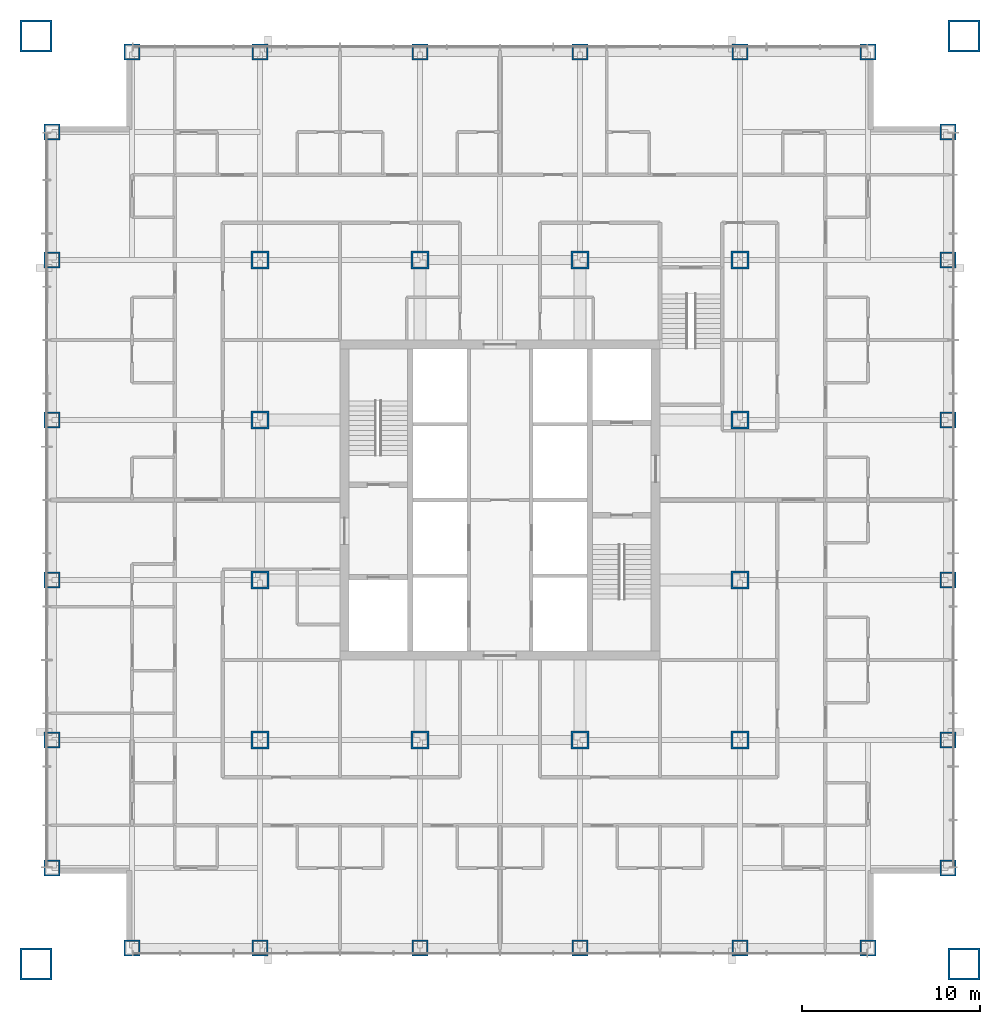
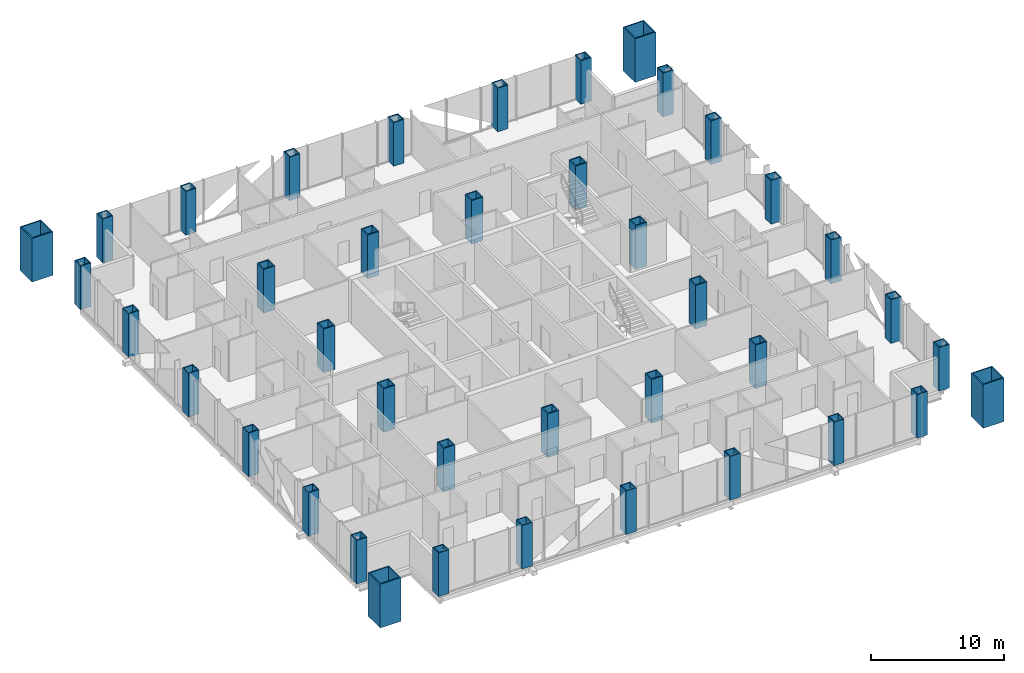
# One storey, part 1 of 13: 40 columns.
"""IFC4 building model written with IfcOpenShell, lengths in metres."""

from ifc_helpers import new_model, si_unit, direction, frame, origin, origin_2d, place, context, subcontext, project, spatial, hollow_rectangle, extrude, material, material_profile, profile_set, type_object, element, save


model = new_model("IFC4")

# Units and contexts
model_context = context("Model", 3, precision=1e-05, world=origin(), true_north=direction((0.0, 1.0)))
body_context = subcontext(model_context, "Body", "Model", "MODEL_VIEW")
ifc_project = project(units=[si_unit("LENGTHUNIT", "METRE"), si_unit("AREAUNIT", "SQUARE_METRE"), si_unit("VOLUMEUNIT", "CUBIC_METRE"), si_unit("PLANEANGLEUNIT", "RADIAN"), si_unit("MASSUNIT", "GRAM", prefix="KILO")], contexts=[model_context])

# Site, building, storey
site_placement = place(None, origin())
site = spatial("IfcSite", under=ifc_project, at=site_placement, CompositionType="ELEMENT")
building_placement = place(site_placement, origin())
building = spatial("IfcBuilding", under=site, at=building_placement, Name="Malebo Sky Hospital", CompositionType="ELEMENT")
storey_placement = place(building_placement, frame((0.0, 0.0, 39.0)))
storey = spatial("IfcBuildingStorey", under=building, at=storey_placement, Name="L08", CompositionType="ELEMENT", Elevation=39.0)

# Columns
ifc_material = material(Name="Steel S460", Category="steel")
ifc_material_profile_1 = material_profile(ifc_material, hollow_rectangle(XDim=1.0, YDim=1.0, WallThickness=0.10009765625, at=origin_2d()), Name="BOX 1000x1000x100")
ifc_profile_set_1 = profile_set([ifc_material_profile_1], Name="Steel S460")
column_type_1 = type_object("IfcColumnType", Name="INNER COLUMN BOX 1000x1000x100", PredefinedType="COLUMN", material=ifc_profile_set_1)
for number, where, z_axis, x_axis, name in (
    (1, (46.5, 48.5, 0.0), (0.0, 0.0, 1.0), (1.0, 0.0, 0.0), "Column IC9 L08"),
    (2, (73.5, 48.5, 0.0), (0.0, 0.0, 1.0), (1.0, 0.0, 0.0), "Column IC9 L08"),
    (3, (73.5, 75.5, 0.0), (0.0, 0.0, 1.0), (1.0, 0.0, 0.0), "Column IC9 L08"),
    (4, (46.5, 75.5, 0.0), (0.0, 0.0, 1.0), (1.0, 0.0, 0.0), "Column IC9 L08"),
    (5, (55.5, 48.5, 0.0), (0.0, 0.0, 1.0), (1.0, 0.0, 0.0), "Column IC9 L08"),
    (6, (64.5, 48.5, 0.0), (0.0, 0.0, 1.0), (1.0, 0.0, 0.0), "Column IC9 L08"),
    (7, (55.5, 75.5, 0.0), (0.0, 0.0, 1.0), (1.0, 0.0, 0.0), "Column IC9 L08"),
    (8, (64.5, 75.5, 0.0), (0.0, 0.0, 1.0), (1.0, 0.0, 0.0), "Column IC9 L08"),
    (9, (46.5, 57.5, 0.0), (0.0, 0.0, 1.0), (1.0, 0.0, 0.0), "Column IC9 L08"),
    (10, (46.5, 66.5, 0.0), (0.0, 0.0, 1.0), (1.0, 0.0, 0.0), "Column IC9 L08"),
    (11, (73.5, 57.5, 0.0), (0.0, 0.0, 1.0), (1.0, 0.0, 0.0), "Column IC9 L08"),
    (12, (73.5, 66.5, 0.0), (0.0, 0.0, 1.0), (1.0, 0.0, 0.0), "Column IC9 L08"),
):
    element("IfcColumn", number, at=place(storey_placement, frame(where, z_axis=z_axis, x_axis=x_axis)), inside=storey, type_object=column_type_1, Name=name, PredefinedType="COLUMN", context=body_context, shape_type="SweptSolid", body=[
        extrude(hollow_rectangle(XDim=1.0, YDim=1.0, WallThickness=0.10009765625, at=origin_2d()), origin(), (0.0, 0.0, 1.0), 4.0),
    ])
ifc_material_profile_2 = material_profile(ifc_material, hollow_rectangle(XDim=1.800048828125, YDim=1.800048828125, WallThickness=0.10009765625, at=origin_2d()), Name="BOX 1800x1800x100")
ifc_profile_set_2 = profile_set([ifc_material_profile_2], Name="Steel S460")
column_type_2 = type_object("IfcColumnType", Name="MEGA COLUMN BOX 1800x1800x100", PredefinedType="COLUMN", material=ifc_profile_set_2)
for number, where, z_axis, x_axis, name in (
    (13, (33.89990234375, 35.89990234375, 0.0), (0.0, 0.0, 1.0), (1.0, 0.0, 0.0), "Mega column SW L08"),
    (14, (86.10009765625, 35.89990234375, 0.0), (0.0, 0.0, 1.0), (1.0, 0.0, 0.0), "Mega column SE L08"),
    (15, (86.10009765625, 88.10009765625, 0.0), (0.0, 0.0, 1.0), (1.0, 0.0, 0.0), "Mega column NE L08"),
    (16, (33.89990234375, 88.10009765625, 0.0), (0.0, 0.0, 1.0), (1.0, 0.0, 0.0), "Mega column NW L08"),
):
    element("IfcColumn", number, at=place(storey_placement, frame(where, z_axis=z_axis, x_axis=x_axis)), inside=storey, type_object=column_type_2, Name=name, PredefinedType="COLUMN", context=body_context, shape_type="SweptSolid", body=[
        extrude(hollow_rectangle(XDim=1.800048828125, YDim=1.800048828125, WallThickness=0.10009765625, at=origin_2d()), origin(), (0.0, 0.0, 1.0), 4.0),
    ])
ifc_material_profile_3 = material_profile(ifc_material, hollow_rectangle(XDim=0.89990234375, YDim=0.89990234375, WallThickness=0.080078125, at=origin_2d()), Name="BOX 900x900x80")
ifc_profile_set_3 = profile_set([ifc_material_profile_3], Name="Steel S460")
column_type_3 = type_object("IfcColumnType", Name="PERIMETER COLUMN BOX 900x900x80", PredefinedType="COLUMN", material=ifc_profile_set_3)
for number, where, z_axis, x_axis, name in (
    (17, (39.300048828125, 36.800048828125, 0.0), (0.0, 0.0, 1.0), (1.0, 0.0, 0.0), "Column PC8 L08"),
    (18, (39.300048828125, 87.199951171875, 0.0), (0.0, 0.0, 1.0), (1.0, 0.0, 0.0), "Column PC8 L08"),
    (19, (34.800048828125, 41.300048828125, 0.0), (0.0, 0.0, 1.0), (1.0, 0.0, 0.0), "Column PC8 L08"),
    (20, (85.199951171875, 41.300048828125, 0.0), (0.0, 0.0, 1.0), (1.0, 0.0, 0.0), "Column PC8 L08"),
    (21, (46.5, 36.800048828125, 0.0), (0.0, 0.0, 1.0), (1.0, 0.0, 0.0), "Column PC8 L08"),
    (22, (46.5, 87.199951171875, 0.0), (0.0, 0.0, 1.0), (1.0, 0.0, 0.0), "Column PC8 L08"),
    (23, (34.800048828125, 48.5, 0.0), (0.0, 0.0, 1.0), (1.0, 0.0, 0.0), "Column PC8 L08"),
    (24, (85.199951171875, 48.5, 0.0), (0.0, 0.0, 1.0), (1.0, 0.0, 0.0), "Column PC8 L08"),
    (25, (55.5, 36.800048828125, 0.0), (0.0, 0.0, 1.0), (1.0, 0.0, 0.0), "Column PC8 L08"),
    (26, (55.5, 87.199951171875, 0.0), (0.0, 0.0, 1.0), (1.0, 0.0, 0.0), "Column PC8 L08"),
    (27, (34.800048828125, 57.5, 0.0), (0.0, 0.0, 1.0), (1.0, 0.0, 0.0), "Column PC8 L08"),
    (28, (85.199951171875, 57.5, 0.0), (0.0, 0.0, 1.0), (1.0, 0.0, 0.0), "Column PC8 L08"),
    (29, (64.5, 36.800048828125, 0.0), (0.0, 0.0, 1.0), (1.0, 0.0, 0.0), "Column PC8 L08"),
    (30, (64.5, 87.199951171875, 0.0), (0.0, 0.0, 1.0), (1.0, 0.0, 0.0), "Column PC8 L08"),
    (31, (34.800048828125, 66.5, 0.0), (0.0, 0.0, 1.0), (1.0, 0.0, 0.0), "Column PC8 L08"),
    (32, (85.199951171875, 66.5, 0.0), (0.0, 0.0, 1.0), (1.0, 0.0, 0.0), "Column PC8 L08"),
    (33, (73.5, 36.800048828125, 0.0), (0.0, 0.0, 1.0), (1.0, 0.0, 0.0), "Column PC8 L08"),
    (34, (73.5, 87.199951171875, 0.0), (0.0, 0.0, 1.0), (1.0, 0.0, 0.0), "Column PC8 L08"),
    (35, (34.800048828125, 75.5, 0.0), (0.0, 0.0, 1.0), (1.0, 0.0, 0.0), "Column PC8 L08"),
    (36, (85.199951171875, 75.5, 0.0), (0.0, 0.0, 1.0), (1.0, 0.0, 0.0), "Column PC8 L08"),
    (37, (80.699951171875, 36.800048828125, 0.0), (0.0, 0.0, 1.0), (1.0, 0.0, 0.0), "Column PC8 L08"),
    (38, (80.699951171875, 87.199951171875, 0.0), (0.0, 0.0, 1.0), (1.0, 0.0, 0.0), "Column PC8 L08"),
    (39, (34.800048828125, 82.699951171875, 0.0), (0.0, 0.0, 1.0), (1.0, 0.0, 0.0), "Column PC8 L08"),
    (40, (85.199951171875, 82.699951171875, 0.0), (0.0, 0.0, 1.0), (1.0, 0.0, 0.0), "Column PC8 L08"),
):
    element("IfcColumn", number, at=place(storey_placement, frame(where, z_axis=z_axis, x_axis=x_axis)), inside=storey, type_object=column_type_3, Name=name, PredefinedType="COLUMN", context=body_context, shape_type="SweptSolid", body=[
        extrude(hollow_rectangle(XDim=0.89990234375, YDim=0.89990234375, WallThickness=0.080078125, at=origin_2d()), origin(), (0.0, 0.0, 1.0), 4.0),
    ])

save(model, "model.ifc")
